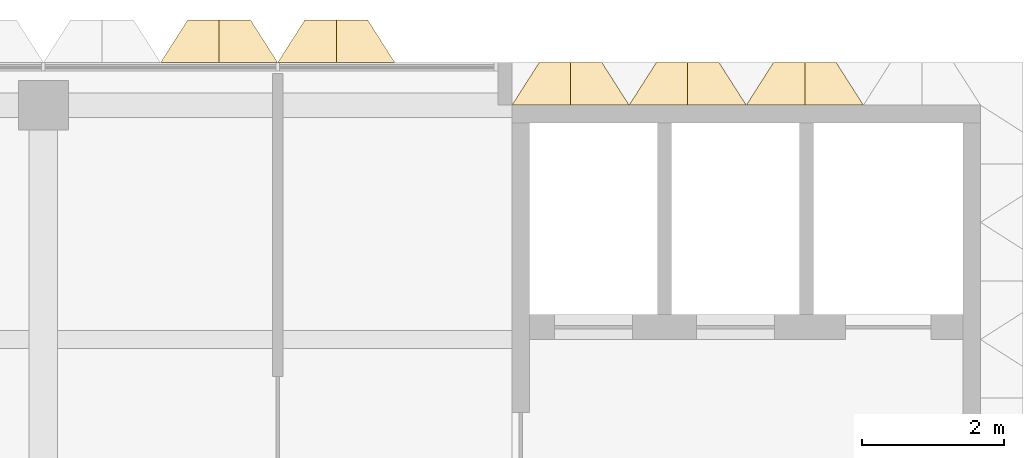
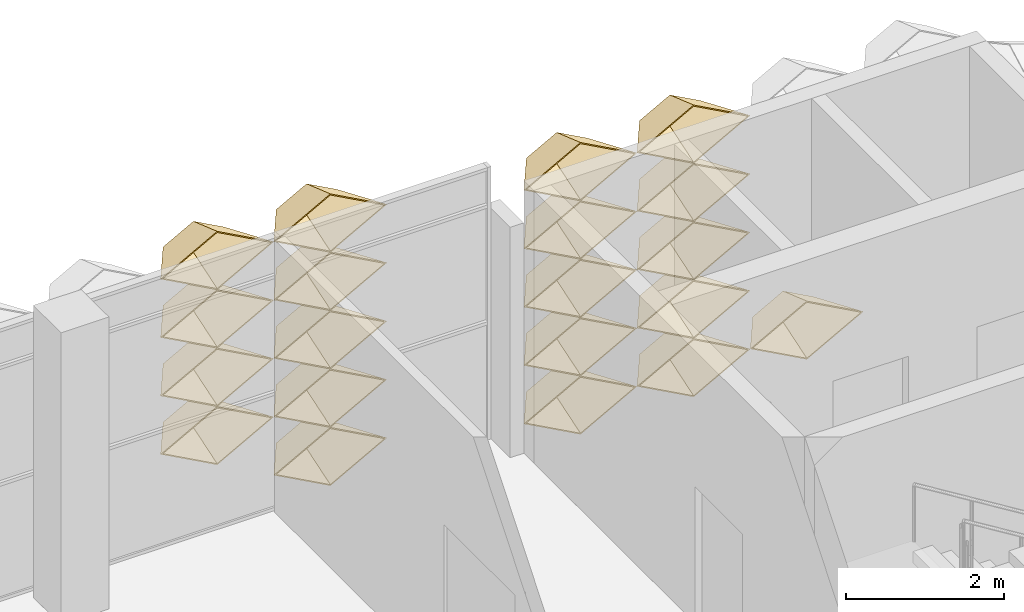
# One storey, part 26 of 28: 20 coverings.
"""IFC4 building model written with IfcOpenShell, lengths in metres."""

from ifc_helpers import new_model, entity, si_unit, direction, frame, origin, place, context, subcontext, project, spatial, material, layer, layer_set, type_object, element, save


model = new_model("IFC4")

# Units and contexts
model_context = context("Model", 3, precision=1e-05, world=origin(), true_north=direction((0.0, 1.0)))
body_context = subcontext(model_context, "Body", "Model", "MODEL_VIEW")
ifc_project = project(units=[si_unit("LENGTHUNIT", "METRE"), si_unit("AREAUNIT", "SQUARE_METRE"), si_unit("VOLUMEUNIT", "CUBIC_METRE"), si_unit("PLANEANGLEUNIT", "RADIAN"), si_unit("MASSUNIT", "GRAM", prefix="KILO")], contexts=[model_context])

# Site, building, storey
site_placement = place(None, origin())
site = spatial("IfcSite", under=ifc_project, at=site_placement, CompositionType="ELEMENT")
building_placement = place(site_placement, origin())
building = spatial("IfcBuilding", under=site, at=building_placement, Name="Lantern Court Research Institute", CompositionType="ELEMENT")
storey_placement = place(building_placement, frame((0.0, 0.0, 36.89990234375)))
storey = spatial("IfcBuildingStorey", under=building, at=storey_placement, Name="L08", CompositionType="ELEMENT", Elevation=36.89990234375)

# Coverings
ifc_material = material(Name="Anodised aluminium", Category="aluminium")
ifc_layer = layer(ifc_material, 0.01611328125)
ifc_layer_set = layer_set([ifc_layer], Name="Anodised aluminium")
covering_type = type_object("IfcCoveringType", Name="Fin cassette 1650 x 900 x 600 aluminium", PredefinedType="CLADDING", material=ifc_layer_set)
covering_1_placement = place(storey_placement, frame((73.425048828125, 23.10009765625, 0.4501953125), z_axis=(0.0, 1.0, 0.0), x_axis=(-1.0, 0.0, 0.0)))
cartesian_point_1 = entity("IfcCartesianPoint", [0.824951171875, 0.0])
cartesian_point_2 = entity("IfcCartesianPoint", [0.79150390625, 0.0])
cartesian_point_3 = entity("IfcCartesianPoint", [0.44189453125, 0.0])
cartesian_point_4 = entity("IfcCartesianPoint", [0.43359375, 0.0])
element("IfcCovering", 1, at=covering_1_placement, inside=storey, type_object=covering_type, Name="Fin cassette V5N-L08 1.45", PredefinedType="CLADDING", context=body_context, shape_type="SweptSolid", body=[
    entity("IfcExtrudedAreaSolidTapered", entity("IfcArbitraryProfileDefWithVoids", "AREA", None, entity("IfcPolyline", [cartesian_point_1, entity("IfcCartesianPoint", [0.0, 0.449951171875]), entity("IfcCartesianPoint", [-0.824951171875, 0.0]), entity("IfcCartesianPoint", [0.0, -0.449951171875]), cartesian_point_1]), [entity("IfcPolyline", [cartesian_point_2, entity("IfcCartesianPoint", [0.0, 0.431884765625]), entity("IfcCartesianPoint", [-0.79150390625, 0.0]), entity("IfcCartesianPoint", [0.0, -0.431884765625]), cartesian_point_2])]), entity("IfcAxis2Placement3D", entity("IfcCartesianPoint", [0.0, 0.0, 0.0])), entity("IfcDirection", [0.0, 0.0, 1.0]), 0.60009765625, entity("IfcArbitraryProfileDefWithVoids", "AREA", None, entity("IfcPolyline", [cartesian_point_3, entity("IfcCartesianPoint", [0.0, 0.240966796875]), entity("IfcCartesianPoint", [-0.44189453125, 0.0]), entity("IfcCartesianPoint", [0.0, -0.240966796875]), cartesian_point_3]), [entity("IfcPolyline", [cartesian_point_4, entity("IfcCartesianPoint", [0.0, 0.236572265625]), entity("IfcCartesianPoint", [-0.43359375, 0.0]), entity("IfcCartesianPoint", [0.0, -0.236572265625]), cartesian_point_4])])),
])
covering_2_placement = place(storey_placement, frame((75.074951171875, 23.10009765625, 0.4501953125), z_axis=(0.0, 1.0, 0.0), x_axis=(-1.0, 0.0, 0.0)))
cartesian_point_5 = entity("IfcCartesianPoint", [0.824951171875, 0.0])
cartesian_point_6 = entity("IfcCartesianPoint", [0.79150390625, 0.0])
cartesian_point_7 = entity("IfcCartesianPoint", [0.44189453125, 0.0])
cartesian_point_8 = entity("IfcCartesianPoint", [0.43359375, 0.0])
element("IfcCovering", 2, at=covering_2_placement, inside=storey, type_object=covering_type, Name="Fin cassette V5N-L08 1.46", PredefinedType="CLADDING", context=body_context, shape_type="SweptSolid", body=[
    entity("IfcExtrudedAreaSolidTapered", entity("IfcArbitraryProfileDefWithVoids", "AREA", None, entity("IfcPolyline", [cartesian_point_5, entity("IfcCartesianPoint", [0.0, 0.449951171875]), entity("IfcCartesianPoint", [-0.824951171875, 0.0]), entity("IfcCartesianPoint", [0.0, -0.449951171875]), cartesian_point_5]), [entity("IfcPolyline", [cartesian_point_6, entity("IfcCartesianPoint", [0.0, 0.431884765625]), entity("IfcCartesianPoint", [-0.79150390625, 0.0]), entity("IfcCartesianPoint", [0.0, -0.431884765625]), cartesian_point_6])]), entity("IfcAxis2Placement3D", entity("IfcCartesianPoint", [0.0, 0.0, 0.0])), entity("IfcDirection", [0.0, 0.0, 1.0]), 0.60009765625, entity("IfcArbitraryProfileDefWithVoids", "AREA", None, entity("IfcPolyline", [cartesian_point_7, entity("IfcCartesianPoint", [0.0, 0.240966796875]), entity("IfcCartesianPoint", [-0.44189453125, 0.0]), entity("IfcCartesianPoint", [0.0, -0.240966796875]), cartesian_point_7]), [entity("IfcPolyline", [cartesian_point_8, entity("IfcCartesianPoint", [0.0, 0.236572265625]), entity("IfcCartesianPoint", [-0.43359375, 0.0]), entity("IfcCartesianPoint", [0.0, -0.236572265625]), cartesian_point_8])])),
])
covering_3_placement = place(storey_placement, frame((76.72509765625, 23.10009765625, 0.4501953125), z_axis=(0.0, 1.0, 0.0), x_axis=(-1.0, 0.0, 0.0)))
cartesian_point_9 = entity("IfcCartesianPoint", [0.824951171875, 0.0])
cartesian_point_10 = entity("IfcCartesianPoint", [0.79150390625, 0.0])
cartesian_point_11 = entity("IfcCartesianPoint", [0.44189453125, 0.0])
cartesian_point_12 = entity("IfcCartesianPoint", [0.43359375, 0.0])
element("IfcCovering", 3, at=covering_3_placement, inside=storey, type_object=covering_type, Name="Fin cassette V5N-L08 1.47", PredefinedType="CLADDING", context=body_context, shape_type="SweptSolid", body=[
    entity("IfcExtrudedAreaSolidTapered", entity("IfcArbitraryProfileDefWithVoids", "AREA", None, entity("IfcPolyline", [cartesian_point_9, entity("IfcCartesianPoint", [0.0, 0.449951171875]), entity("IfcCartesianPoint", [-0.824951171875, 0.0]), entity("IfcCartesianPoint", [0.0, -0.449951171875]), cartesian_point_9]), [entity("IfcPolyline", [cartesian_point_10, entity("IfcCartesianPoint", [0.0, 0.431884765625]), entity("IfcCartesianPoint", [-0.79150390625, 0.0]), entity("IfcCartesianPoint", [0.0, -0.431884765625]), cartesian_point_10])]), entity("IfcAxis2Placement3D", entity("IfcCartesianPoint", [0.0, 0.0, 0.0])), entity("IfcDirection", [0.0, 0.0, 1.0]), 0.60009765625, entity("IfcArbitraryProfileDefWithVoids", "AREA", None, entity("IfcPolyline", [cartesian_point_11, entity("IfcCartesianPoint", [0.0, 0.240966796875]), entity("IfcCartesianPoint", [-0.44189453125, 0.0]), entity("IfcCartesianPoint", [0.0, -0.240966796875]), cartesian_point_11]), [entity("IfcPolyline", [cartesian_point_12, entity("IfcCartesianPoint", [0.0, 0.236572265625]), entity("IfcCartesianPoint", [-0.43359375, 0.0]), entity("IfcCartesianPoint", [0.0, -0.236572265625]), cartesian_point_12])])),
])
covering_4_placement = place(storey_placement, frame((73.425048828125, 23.10009765625, 1.35009765625), z_axis=(0.0, 1.0, 0.0), x_axis=(-1.0, 0.0, 0.0)))
cartesian_point_13 = entity("IfcCartesianPoint", [0.824951171875, 0.0])
cartesian_point_14 = entity("IfcCartesianPoint", [0.79150390625, 0.0])
cartesian_point_15 = entity("IfcCartesianPoint", [0.44189453125, 0.0])
cartesian_point_16 = entity("IfcCartesianPoint", [0.43359375, 0.0])
element("IfcCovering", 4, at=covering_4_placement, inside=storey, type_object=covering_type, Name="Fin cassette V5N-L08 2.45", PredefinedType="CLADDING", context=body_context, shape_type="SweptSolid", body=[
    entity("IfcExtrudedAreaSolidTapered", entity("IfcArbitraryProfileDefWithVoids", "AREA", None, entity("IfcPolyline", [cartesian_point_13, entity("IfcCartesianPoint", [0.0, 0.449951171875]), entity("IfcCartesianPoint", [-0.824951171875, 0.0]), entity("IfcCartesianPoint", [0.0, -0.449951171875]), cartesian_point_13]), [entity("IfcPolyline", [cartesian_point_14, entity("IfcCartesianPoint", [0.0, 0.431884765625]), entity("IfcCartesianPoint", [-0.79150390625, 0.0]), entity("IfcCartesianPoint", [0.0, -0.431884765625]), cartesian_point_14])]), entity("IfcAxis2Placement3D", entity("IfcCartesianPoint", [0.0, 0.0, 0.0])), entity("IfcDirection", [0.0, 0.0, 1.0]), 0.60009765625, entity("IfcArbitraryProfileDefWithVoids", "AREA", None, entity("IfcPolyline", [cartesian_point_15, entity("IfcCartesianPoint", [0.0, 0.240966796875]), entity("IfcCartesianPoint", [-0.44189453125, 0.0]), entity("IfcCartesianPoint", [0.0, -0.240966796875]), cartesian_point_15]), [entity("IfcPolyline", [cartesian_point_16, entity("IfcCartesianPoint", [0.0, 0.236572265625]), entity("IfcCartesianPoint", [-0.43359375, 0.0]), entity("IfcCartesianPoint", [0.0, -0.236572265625]), cartesian_point_16])])),
])
covering_5_placement = place(storey_placement, frame((75.074951171875, 23.10009765625, 1.35009765625), z_axis=(0.0, 1.0, 0.0), x_axis=(-1.0, 0.0, 0.0)))
cartesian_point_17 = entity("IfcCartesianPoint", [0.824951171875, 0.0])
cartesian_point_18 = entity("IfcCartesianPoint", [0.79150390625, 0.0])
cartesian_point_19 = entity("IfcCartesianPoint", [0.44189453125, 0.0])
cartesian_point_20 = entity("IfcCartesianPoint", [0.43359375, 0.0])
element("IfcCovering", 5, at=covering_5_placement, inside=storey, type_object=covering_type, Name="Fin cassette V5N-L08 2.46", PredefinedType="CLADDING", context=body_context, shape_type="SweptSolid", body=[
    entity("IfcExtrudedAreaSolidTapered", entity("IfcArbitraryProfileDefWithVoids", "AREA", None, entity("IfcPolyline", [cartesian_point_17, entity("IfcCartesianPoint", [0.0, 0.449951171875]), entity("IfcCartesianPoint", [-0.824951171875, 0.0]), entity("IfcCartesianPoint", [0.0, -0.449951171875]), cartesian_point_17]), [entity("IfcPolyline", [cartesian_point_18, entity("IfcCartesianPoint", [0.0, 0.431884765625]), entity("IfcCartesianPoint", [-0.79150390625, 0.0]), entity("IfcCartesianPoint", [0.0, -0.431884765625]), cartesian_point_18])]), entity("IfcAxis2Placement3D", entity("IfcCartesianPoint", [0.0, 0.0, 0.0])), entity("IfcDirection", [0.0, 0.0, 1.0]), 0.60009765625, entity("IfcArbitraryProfileDefWithVoids", "AREA", None, entity("IfcPolyline", [cartesian_point_19, entity("IfcCartesianPoint", [0.0, 0.240966796875]), entity("IfcCartesianPoint", [-0.44189453125, 0.0]), entity("IfcCartesianPoint", [0.0, -0.240966796875]), cartesian_point_19]), [entity("IfcPolyline", [cartesian_point_20, entity("IfcCartesianPoint", [0.0, 0.236572265625]), entity("IfcCartesianPoint", [-0.43359375, 0.0]), entity("IfcCartesianPoint", [0.0, -0.236572265625]), cartesian_point_20])])),
])
covering_6_placement = place(storey_placement, frame((73.425048828125, 23.10009765625, 2.25), z_axis=(0.0, 1.0, 0.0), x_axis=(-1.0, 0.0, 0.0)))
cartesian_point_21 = entity("IfcCartesianPoint", [0.824951171875, 0.0])
cartesian_point_22 = entity("IfcCartesianPoint", [0.79150390625, 0.0])
cartesian_point_23 = entity("IfcCartesianPoint", [0.44189453125, 0.0])
cartesian_point_24 = entity("IfcCartesianPoint", [0.43359375, 0.0])
element("IfcCovering", 6, at=covering_6_placement, inside=storey, type_object=covering_type, Name="Fin cassette V5N-L08 3.45", PredefinedType="CLADDING", context=body_context, shape_type="SweptSolid", body=[
    entity("IfcExtrudedAreaSolidTapered", entity("IfcArbitraryProfileDefWithVoids", "AREA", None, entity("IfcPolyline", [cartesian_point_21, entity("IfcCartesianPoint", [0.0, 0.449951171875]), entity("IfcCartesianPoint", [-0.824951171875, 0.0]), entity("IfcCartesianPoint", [0.0, -0.449951171875]), cartesian_point_21]), [entity("IfcPolyline", [cartesian_point_22, entity("IfcCartesianPoint", [0.0, 0.431884765625]), entity("IfcCartesianPoint", [-0.79150390625, 0.0]), entity("IfcCartesianPoint", [0.0, -0.431884765625]), cartesian_point_22])]), entity("IfcAxis2Placement3D", entity("IfcCartesianPoint", [0.0, 0.0, 0.0])), entity("IfcDirection", [0.0, 0.0, 1.0]), 0.60009765625, entity("IfcArbitraryProfileDefWithVoids", "AREA", None, entity("IfcPolyline", [cartesian_point_23, entity("IfcCartesianPoint", [0.0, 0.240966796875]), entity("IfcCartesianPoint", [-0.44189453125, 0.0]), entity("IfcCartesianPoint", [0.0, -0.240966796875]), cartesian_point_23]), [entity("IfcPolyline", [cartesian_point_24, entity("IfcCartesianPoint", [0.0, 0.236572265625]), entity("IfcCartesianPoint", [-0.43359375, 0.0]), entity("IfcCartesianPoint", [0.0, -0.236572265625]), cartesian_point_24])])),
])
covering_7_placement = place(storey_placement, frame((75.074951171875, 23.10009765625, 2.25), z_axis=(0.0, 1.0, 0.0), x_axis=(-1.0, 0.0, 0.0)))
cartesian_point_25 = entity("IfcCartesianPoint", [0.824951171875, 0.0])
cartesian_point_26 = entity("IfcCartesianPoint", [0.79150390625, 0.0])
cartesian_point_27 = entity("IfcCartesianPoint", [0.44189453125, 0.0])
cartesian_point_28 = entity("IfcCartesianPoint", [0.43359375, 0.0])
element("IfcCovering", 7, at=covering_7_placement, inside=storey, type_object=covering_type, Name="Fin cassette V5N-L08 3.46", PredefinedType="CLADDING", context=body_context, shape_type="SweptSolid", body=[
    entity("IfcExtrudedAreaSolidTapered", entity("IfcArbitraryProfileDefWithVoids", "AREA", None, entity("IfcPolyline", [cartesian_point_25, entity("IfcCartesianPoint", [0.0, 0.449951171875]), entity("IfcCartesianPoint", [-0.824951171875, 0.0]), entity("IfcCartesianPoint", [0.0, -0.449951171875]), cartesian_point_25]), [entity("IfcPolyline", [cartesian_point_26, entity("IfcCartesianPoint", [0.0, 0.431884765625]), entity("IfcCartesianPoint", [-0.79150390625, 0.0]), entity("IfcCartesianPoint", [0.0, -0.431884765625]), cartesian_point_26])]), entity("IfcAxis2Placement3D", entity("IfcCartesianPoint", [0.0, 0.0, 0.0])), entity("IfcDirection", [0.0, 0.0, 1.0]), 0.60009765625, entity("IfcArbitraryProfileDefWithVoids", "AREA", None, entity("IfcPolyline", [cartesian_point_27, entity("IfcCartesianPoint", [0.0, 0.240966796875]), entity("IfcCartesianPoint", [-0.44189453125, 0.0]), entity("IfcCartesianPoint", [0.0, -0.240966796875]), cartesian_point_27]), [entity("IfcPolyline", [cartesian_point_28, entity("IfcCartesianPoint", [0.0, 0.236572265625]), entity("IfcCartesianPoint", [-0.43359375, 0.0]), entity("IfcCartesianPoint", [0.0, -0.236572265625]), cartesian_point_28])])),
])
covering_8_placement = place(storey_placement, frame((73.425048828125, 23.10009765625, 3.150146484375), z_axis=(0.0, 1.0, 0.0), x_axis=(-1.0, 0.0, 0.0)))
cartesian_point_29 = entity("IfcCartesianPoint", [0.824951171875, 0.0])
cartesian_point_30 = entity("IfcCartesianPoint", [0.79150390625, 0.0])
cartesian_point_31 = entity("IfcCartesianPoint", [0.44189453125, 0.0])
cartesian_point_32 = entity("IfcCartesianPoint", [0.43359375, 0.0])
element("IfcCovering", 8, at=covering_8_placement, inside=storey, type_object=covering_type, Name="Fin cassette V5N-L08 4.45", PredefinedType="CLADDING", context=body_context, shape_type="SweptSolid", body=[
    entity("IfcExtrudedAreaSolidTapered", entity("IfcArbitraryProfileDefWithVoids", "AREA", None, entity("IfcPolyline", [cartesian_point_29, entity("IfcCartesianPoint", [0.0, 0.449951171875]), entity("IfcCartesianPoint", [-0.824951171875, 0.0]), entity("IfcCartesianPoint", [0.0, -0.449951171875]), cartesian_point_29]), [entity("IfcPolyline", [cartesian_point_30, entity("IfcCartesianPoint", [0.0, 0.431884765625]), entity("IfcCartesianPoint", [-0.79150390625, 0.0]), entity("IfcCartesianPoint", [0.0, -0.431884765625]), cartesian_point_30])]), entity("IfcAxis2Placement3D", entity("IfcCartesianPoint", [0.0, 0.0, 0.0])), entity("IfcDirection", [0.0, 0.0, 1.0]), 0.60009765625, entity("IfcArbitraryProfileDefWithVoids", "AREA", None, entity("IfcPolyline", [cartesian_point_31, entity("IfcCartesianPoint", [0.0, 0.240966796875]), entity("IfcCartesianPoint", [-0.44189453125, 0.0]), entity("IfcCartesianPoint", [0.0, -0.240966796875]), cartesian_point_31]), [entity("IfcPolyline", [cartesian_point_32, entity("IfcCartesianPoint", [0.0, 0.236572265625]), entity("IfcCartesianPoint", [-0.43359375, 0.0]), entity("IfcCartesianPoint", [0.0, -0.236572265625]), cartesian_point_32])])),
])
covering_9_placement = place(storey_placement, frame((75.074951171875, 23.10009765625, 3.150146484375), z_axis=(0.0, 1.0, 0.0), x_axis=(-1.0, 0.0, 0.0)))
cartesian_point_33 = entity("IfcCartesianPoint", [0.824951171875, 0.0])
cartesian_point_34 = entity("IfcCartesianPoint", [0.79150390625, 0.0])
cartesian_point_35 = entity("IfcCartesianPoint", [0.44189453125, 0.0])
cartesian_point_36 = entity("IfcCartesianPoint", [0.43359375, 0.0])
element("IfcCovering", 9, at=covering_9_placement, inside=storey, type_object=covering_type, Name="Fin cassette V5N-L08 4.46", PredefinedType="CLADDING", context=body_context, shape_type="SweptSolid", body=[
    entity("IfcExtrudedAreaSolidTapered", entity("IfcArbitraryProfileDefWithVoids", "AREA", None, entity("IfcPolyline", [cartesian_point_33, entity("IfcCartesianPoint", [0.0, 0.449951171875]), entity("IfcCartesianPoint", [-0.824951171875, 0.0]), entity("IfcCartesianPoint", [0.0, -0.449951171875]), cartesian_point_33]), [entity("IfcPolyline", [cartesian_point_34, entity("IfcCartesianPoint", [0.0, 0.431884765625]), entity("IfcCartesianPoint", [-0.79150390625, 0.0]), entity("IfcCartesianPoint", [0.0, -0.431884765625]), cartesian_point_34])]), entity("IfcAxis2Placement3D", entity("IfcCartesianPoint", [0.0, 0.0, 0.0])), entity("IfcDirection", [0.0, 0.0, 1.0]), 0.60009765625, entity("IfcArbitraryProfileDefWithVoids", "AREA", None, entity("IfcPolyline", [cartesian_point_35, entity("IfcCartesianPoint", [0.0, 0.240966796875]), entity("IfcCartesianPoint", [-0.44189453125, 0.0]), entity("IfcCartesianPoint", [0.0, -0.240966796875]), cartesian_point_35]), [entity("IfcPolyline", [cartesian_point_36, entity("IfcCartesianPoint", [0.0, 0.236572265625]), entity("IfcCartesianPoint", [-0.43359375, 0.0]), entity("IfcCartesianPoint", [0.0, -0.236572265625]), cartesian_point_36])])),
])
covering_10_placement = place(storey_placement, frame((73.425048828125, 23.10009765625, 4.050048828125), z_axis=(0.0, 1.0, 0.0), x_axis=(-1.0, 0.0, 0.0)))
cartesian_point_37 = entity("IfcCartesianPoint", [0.824951171875, 0.0])
cartesian_point_38 = entity("IfcCartesianPoint", [0.79150390625, 0.0])
cartesian_point_39 = entity("IfcCartesianPoint", [0.44189453125, 0.0])
cartesian_point_40 = entity("IfcCartesianPoint", [0.43359375, 0.0])
element("IfcCovering", 10, at=covering_10_placement, inside=storey, type_object=covering_type, Name="Fin cassette V5N-L08 5.45", PredefinedType="CLADDING", context=body_context, shape_type="SweptSolid", body=[
    entity("IfcExtrudedAreaSolidTapered", entity("IfcArbitraryProfileDefWithVoids", "AREA", None, entity("IfcPolyline", [cartesian_point_37, entity("IfcCartesianPoint", [0.0, 0.449951171875]), entity("IfcCartesianPoint", [-0.824951171875, 0.0]), entity("IfcCartesianPoint", [0.0, -0.449951171875]), cartesian_point_37]), [entity("IfcPolyline", [cartesian_point_38, entity("IfcCartesianPoint", [0.0, 0.431884765625]), entity("IfcCartesianPoint", [-0.79150390625, 0.0]), entity("IfcCartesianPoint", [0.0, -0.431884765625]), cartesian_point_38])]), entity("IfcAxis2Placement3D", entity("IfcCartesianPoint", [0.0, 0.0, 0.0])), entity("IfcDirection", [0.0, 0.0, 1.0]), 0.60009765625, entity("IfcArbitraryProfileDefWithVoids", "AREA", None, entity("IfcPolyline", [cartesian_point_39, entity("IfcCartesianPoint", [0.0, 0.240966796875]), entity("IfcCartesianPoint", [-0.44189453125, 0.0]), entity("IfcCartesianPoint", [0.0, -0.240966796875]), cartesian_point_39]), [entity("IfcPolyline", [cartesian_point_40, entity("IfcCartesianPoint", [0.0, 0.236572265625]), entity("IfcCartesianPoint", [-0.43359375, 0.0]), entity("IfcCartesianPoint", [0.0, -0.236572265625]), cartesian_point_40])])),
])
covering_11_placement = place(storey_placement, frame((75.074951171875, 23.10009765625, 4.050048828125), z_axis=(0.0, 1.0, 0.0), x_axis=(-1.0, 0.0, 0.0)))
cartesian_point_41 = entity("IfcCartesianPoint", [0.824951171875, 0.0])
cartesian_point_42 = entity("IfcCartesianPoint", [0.79150390625, 0.0])
cartesian_point_43 = entity("IfcCartesianPoint", [0.44189453125, 0.0])
cartesian_point_44 = entity("IfcCartesianPoint", [0.43359375, 0.0])
element("IfcCovering", 11, at=covering_11_placement, inside=storey, type_object=covering_type, Name="Fin cassette V5N-L08 5.46", PredefinedType="CLADDING", context=body_context, shape_type="SweptSolid", body=[
    entity("IfcExtrudedAreaSolidTapered", entity("IfcArbitraryProfileDefWithVoids", "AREA", None, entity("IfcPolyline", [cartesian_point_41, entity("IfcCartesianPoint", [0.0, 0.449951171875]), entity("IfcCartesianPoint", [-0.824951171875, 0.0]), entity("IfcCartesianPoint", [0.0, -0.449951171875]), cartesian_point_41]), [entity("IfcPolyline", [cartesian_point_42, entity("IfcCartesianPoint", [0.0, 0.431884765625]), entity("IfcCartesianPoint", [-0.79150390625, 0.0]), entity("IfcCartesianPoint", [0.0, -0.431884765625]), cartesian_point_42])]), entity("IfcAxis2Placement3D", entity("IfcCartesianPoint", [0.0, 0.0, 0.0])), entity("IfcDirection", [0.0, 0.0, 1.0]), 0.60009765625, entity("IfcArbitraryProfileDefWithVoids", "AREA", None, entity("IfcPolyline", [cartesian_point_43, entity("IfcCartesianPoint", [0.0, 0.240966796875]), entity("IfcCartesianPoint", [-0.44189453125, 0.0]), entity("IfcCartesianPoint", [0.0, -0.240966796875]), cartesian_point_43]), [entity("IfcPolyline", [cartesian_point_44, entity("IfcCartesianPoint", [0.0, 0.236572265625]), entity("IfcCartesianPoint", [-0.43359375, 0.0]), entity("IfcCartesianPoint", [0.0, -0.236572265625]), cartesian_point_44])])),
])
covering_12_placement = place(storey_placement, frame((70.125, 23.699951171875, 0.4501953125), z_axis=(0.0, 1.0, 0.0), x_axis=(-1.0, 0.0, 0.0)))
cartesian_point_45 = entity("IfcCartesianPoint", [0.824951171875, 0.0])
cartesian_point_46 = entity("IfcCartesianPoint", [0.79150390625, 0.0])
cartesian_point_47 = entity("IfcCartesianPoint", [0.44189453125, 0.0])
cartesian_point_48 = entity("IfcCartesianPoint", [0.43359375, 0.0])
element("IfcCovering", 12, at=covering_12_placement, inside=storey, type_object=covering_type, Name="Fin cassette V5N-L08 1.43", PredefinedType="CLADDING", context=body_context, shape_type="SweptSolid", body=[
    entity("IfcExtrudedAreaSolidTapered", entity("IfcArbitraryProfileDefWithVoids", "AREA", None, entity("IfcPolyline", [cartesian_point_45, entity("IfcCartesianPoint", [0.0, 0.449951171875]), entity("IfcCartesianPoint", [-0.824951171875, 0.0]), entity("IfcCartesianPoint", [0.0, -0.449951171875]), cartesian_point_45]), [entity("IfcPolyline", [cartesian_point_46, entity("IfcCartesianPoint", [0.0, 0.431884765625]), entity("IfcCartesianPoint", [-0.79150390625, 0.0]), entity("IfcCartesianPoint", [0.0, -0.431884765625]), cartesian_point_46])]), entity("IfcAxis2Placement3D", entity("IfcCartesianPoint", [0.0, 0.0, 0.0])), entity("IfcDirection", [0.0, 0.0, 1.0]), 0.60009765625, entity("IfcArbitraryProfileDefWithVoids", "AREA", None, entity("IfcPolyline", [cartesian_point_47, entity("IfcCartesianPoint", [0.0, 0.240966796875]), entity("IfcCartesianPoint", [-0.44189453125, 0.0]), entity("IfcCartesianPoint", [0.0, -0.240966796875]), cartesian_point_47]), [entity("IfcPolyline", [cartesian_point_48, entity("IfcCartesianPoint", [0.0, 0.236572265625]), entity("IfcCartesianPoint", [-0.43359375, 0.0]), entity("IfcCartesianPoint", [0.0, -0.236572265625]), cartesian_point_48])])),
])
covering_13_placement = place(storey_placement, frame((68.47509765625, 23.699951171875, 1.35009765625), z_axis=(0.0, 1.0, 0.0), x_axis=(-1.0, 0.0, 0.0)))
cartesian_point_49 = entity("IfcCartesianPoint", [0.824951171875, 0.0])
cartesian_point_50 = entity("IfcCartesianPoint", [0.79150390625, 0.0])
cartesian_point_51 = entity("IfcCartesianPoint", [0.44189453125, 0.0])
cartesian_point_52 = entity("IfcCartesianPoint", [0.43359375, 0.0])
element("IfcCovering", 13, at=covering_13_placement, inside=storey, type_object=covering_type, Name="Fin cassette V5N-L08 2.42", PredefinedType="CLADDING", context=body_context, shape_type="SweptSolid", body=[
    entity("IfcExtrudedAreaSolidTapered", entity("IfcArbitraryProfileDefWithVoids", "AREA", None, entity("IfcPolyline", [cartesian_point_49, entity("IfcCartesianPoint", [0.0, 0.449951171875]), entity("IfcCartesianPoint", [-0.824951171875, 0.0]), entity("IfcCartesianPoint", [0.0, -0.449951171875]), cartesian_point_49]), [entity("IfcPolyline", [cartesian_point_50, entity("IfcCartesianPoint", [0.0, 0.431884765625]), entity("IfcCartesianPoint", [-0.79150390625, 0.0]), entity("IfcCartesianPoint", [0.0, -0.431884765625]), cartesian_point_50])]), entity("IfcAxis2Placement3D", entity("IfcCartesianPoint", [0.0, 0.0, 0.0])), entity("IfcDirection", [0.0, 0.0, 1.0]), 0.60009765625, entity("IfcArbitraryProfileDefWithVoids", "AREA", None, entity("IfcPolyline", [cartesian_point_51, entity("IfcCartesianPoint", [0.0, 0.240966796875]), entity("IfcCartesianPoint", [-0.44189453125, 0.0]), entity("IfcCartesianPoint", [0.0, -0.240966796875]), cartesian_point_51]), [entity("IfcPolyline", [cartesian_point_52, entity("IfcCartesianPoint", [0.0, 0.236572265625]), entity("IfcCartesianPoint", [-0.43359375, 0.0]), entity("IfcCartesianPoint", [0.0, -0.236572265625]), cartesian_point_52])])),
])
covering_14_placement = place(storey_placement, frame((70.125, 23.699951171875, 1.35009765625), z_axis=(0.0, 1.0, 0.0), x_axis=(-1.0, 0.0, 0.0)))
cartesian_point_53 = entity("IfcCartesianPoint", [0.824951171875, 0.0])
cartesian_point_54 = entity("IfcCartesianPoint", [0.79150390625, 0.0])
cartesian_point_55 = entity("IfcCartesianPoint", [0.44189453125, 0.0])
cartesian_point_56 = entity("IfcCartesianPoint", [0.43359375, 0.0])
element("IfcCovering", 14, at=covering_14_placement, inside=storey, type_object=covering_type, Name="Fin cassette V5N-L08 2.43", PredefinedType="CLADDING", context=body_context, shape_type="SweptSolid", body=[
    entity("IfcExtrudedAreaSolidTapered", entity("IfcArbitraryProfileDefWithVoids", "AREA", None, entity("IfcPolyline", [cartesian_point_53, entity("IfcCartesianPoint", [0.0, 0.449951171875]), entity("IfcCartesianPoint", [-0.824951171875, 0.0]), entity("IfcCartesianPoint", [0.0, -0.449951171875]), cartesian_point_53]), [entity("IfcPolyline", [cartesian_point_54, entity("IfcCartesianPoint", [0.0, 0.431884765625]), entity("IfcCartesianPoint", [-0.79150390625, 0.0]), entity("IfcCartesianPoint", [0.0, -0.431884765625]), cartesian_point_54])]), entity("IfcAxis2Placement3D", entity("IfcCartesianPoint", [0.0, 0.0, 0.0])), entity("IfcDirection", [0.0, 0.0, 1.0]), 0.60009765625, entity("IfcArbitraryProfileDefWithVoids", "AREA", None, entity("IfcPolyline", [cartesian_point_55, entity("IfcCartesianPoint", [0.0, 0.240966796875]), entity("IfcCartesianPoint", [-0.44189453125, 0.0]), entity("IfcCartesianPoint", [0.0, -0.240966796875]), cartesian_point_55]), [entity("IfcPolyline", [cartesian_point_56, entity("IfcCartesianPoint", [0.0, 0.236572265625]), entity("IfcCartesianPoint", [-0.43359375, 0.0]), entity("IfcCartesianPoint", [0.0, -0.236572265625]), cartesian_point_56])])),
])
covering_15_placement = place(storey_placement, frame((68.47509765625, 23.699951171875, 2.25), z_axis=(0.0, 1.0, 0.0), x_axis=(-1.0, 0.0, 0.0)))
cartesian_point_57 = entity("IfcCartesianPoint", [0.824951171875, 0.0])
cartesian_point_58 = entity("IfcCartesianPoint", [0.79150390625, 0.0])
cartesian_point_59 = entity("IfcCartesianPoint", [0.44189453125, 0.0])
cartesian_point_60 = entity("IfcCartesianPoint", [0.43359375, 0.0])
element("IfcCovering", 15, at=covering_15_placement, inside=storey, type_object=covering_type, Name="Fin cassette V5N-L08 3.42", PredefinedType="CLADDING", context=body_context, shape_type="SweptSolid", body=[
    entity("IfcExtrudedAreaSolidTapered", entity("IfcArbitraryProfileDefWithVoids", "AREA", None, entity("IfcPolyline", [cartesian_point_57, entity("IfcCartesianPoint", [0.0, 0.449951171875]), entity("IfcCartesianPoint", [-0.824951171875, 0.0]), entity("IfcCartesianPoint", [0.0, -0.449951171875]), cartesian_point_57]), [entity("IfcPolyline", [cartesian_point_58, entity("IfcCartesianPoint", [0.0, 0.431884765625]), entity("IfcCartesianPoint", [-0.79150390625, 0.0]), entity("IfcCartesianPoint", [0.0, -0.431884765625]), cartesian_point_58])]), entity("IfcAxis2Placement3D", entity("IfcCartesianPoint", [0.0, 0.0, 0.0])), entity("IfcDirection", [0.0, 0.0, 1.0]), 0.60009765625, entity("IfcArbitraryProfileDefWithVoids", "AREA", None, entity("IfcPolyline", [cartesian_point_59, entity("IfcCartesianPoint", [0.0, 0.240966796875]), entity("IfcCartesianPoint", [-0.44189453125, 0.0]), entity("IfcCartesianPoint", [0.0, -0.240966796875]), cartesian_point_59]), [entity("IfcPolyline", [cartesian_point_60, entity("IfcCartesianPoint", [0.0, 0.236572265625]), entity("IfcCartesianPoint", [-0.43359375, 0.0]), entity("IfcCartesianPoint", [0.0, -0.236572265625]), cartesian_point_60])])),
])
covering_16_placement = place(storey_placement, frame((70.125, 23.699951171875, 2.25), z_axis=(0.0, 1.0, 0.0), x_axis=(-1.0, 0.0, 0.0)))
cartesian_point_61 = entity("IfcCartesianPoint", [0.824951171875, 0.0])
cartesian_point_62 = entity("IfcCartesianPoint", [0.79150390625, 0.0])
cartesian_point_63 = entity("IfcCartesianPoint", [0.44189453125, 0.0])
cartesian_point_64 = entity("IfcCartesianPoint", [0.43359375, 0.0])
element("IfcCovering", 16, at=covering_16_placement, inside=storey, type_object=covering_type, Name="Fin cassette V5N-L08 3.43", PredefinedType="CLADDING", context=body_context, shape_type="SweptSolid", body=[
    entity("IfcExtrudedAreaSolidTapered", entity("IfcArbitraryProfileDefWithVoids", "AREA", None, entity("IfcPolyline", [cartesian_point_61, entity("IfcCartesianPoint", [0.0, 0.449951171875]), entity("IfcCartesianPoint", [-0.824951171875, 0.0]), entity("IfcCartesianPoint", [0.0, -0.449951171875]), cartesian_point_61]), [entity("IfcPolyline", [cartesian_point_62, entity("IfcCartesianPoint", [0.0, 0.431884765625]), entity("IfcCartesianPoint", [-0.79150390625, 0.0]), entity("IfcCartesianPoint", [0.0, -0.431884765625]), cartesian_point_62])]), entity("IfcAxis2Placement3D", entity("IfcCartesianPoint", [0.0, 0.0, 0.0])), entity("IfcDirection", [0.0, 0.0, 1.0]), 0.60009765625, entity("IfcArbitraryProfileDefWithVoids", "AREA", None, entity("IfcPolyline", [cartesian_point_63, entity("IfcCartesianPoint", [0.0, 0.240966796875]), entity("IfcCartesianPoint", [-0.44189453125, 0.0]), entity("IfcCartesianPoint", [0.0, -0.240966796875]), cartesian_point_63]), [entity("IfcPolyline", [cartesian_point_64, entity("IfcCartesianPoint", [0.0, 0.236572265625]), entity("IfcCartesianPoint", [-0.43359375, 0.0]), entity("IfcCartesianPoint", [0.0, -0.236572265625]), cartesian_point_64])])),
])
covering_17_placement = place(storey_placement, frame((68.47509765625, 23.699951171875, 3.150146484375), z_axis=(0.0, 1.0, 0.0), x_axis=(-1.0, 0.0, 0.0)))
cartesian_point_65 = entity("IfcCartesianPoint", [0.824951171875, 0.0])
cartesian_point_66 = entity("IfcCartesianPoint", [0.79150390625, 0.0])
cartesian_point_67 = entity("IfcCartesianPoint", [0.44189453125, 0.0])
cartesian_point_68 = entity("IfcCartesianPoint", [0.43359375, 0.0])
element("IfcCovering", 17, at=covering_17_placement, inside=storey, type_object=covering_type, Name="Fin cassette V5N-L08 4.42", PredefinedType="CLADDING", context=body_context, shape_type="SweptSolid", body=[
    entity("IfcExtrudedAreaSolidTapered", entity("IfcArbitraryProfileDefWithVoids", "AREA", None, entity("IfcPolyline", [cartesian_point_65, entity("IfcCartesianPoint", [0.0, 0.449951171875]), entity("IfcCartesianPoint", [-0.824951171875, 0.0]), entity("IfcCartesianPoint", [0.0, -0.449951171875]), cartesian_point_65]), [entity("IfcPolyline", [cartesian_point_66, entity("IfcCartesianPoint", [0.0, 0.431884765625]), entity("IfcCartesianPoint", [-0.79150390625, 0.0]), entity("IfcCartesianPoint", [0.0, -0.431884765625]), cartesian_point_66])]), entity("IfcAxis2Placement3D", entity("IfcCartesianPoint", [0.0, 0.0, 0.0])), entity("IfcDirection", [0.0, 0.0, 1.0]), 0.60009765625, entity("IfcArbitraryProfileDefWithVoids", "AREA", None, entity("IfcPolyline", [cartesian_point_67, entity("IfcCartesianPoint", [0.0, 0.240966796875]), entity("IfcCartesianPoint", [-0.44189453125, 0.0]), entity("IfcCartesianPoint", [0.0, -0.240966796875]), cartesian_point_67]), [entity("IfcPolyline", [cartesian_point_68, entity("IfcCartesianPoint", [0.0, 0.236572265625]), entity("IfcCartesianPoint", [-0.43359375, 0.0]), entity("IfcCartesianPoint", [0.0, -0.236572265625]), cartesian_point_68])])),
])
covering_18_placement = place(storey_placement, frame((70.125, 23.699951171875, 3.150146484375), z_axis=(0.0, 1.0, 0.0), x_axis=(-1.0, 0.0, 0.0)))
cartesian_point_69 = entity("IfcCartesianPoint", [0.824951171875, 0.0])
cartesian_point_70 = entity("IfcCartesianPoint", [0.79150390625, 0.0])
cartesian_point_71 = entity("IfcCartesianPoint", [0.44189453125, 0.0])
cartesian_point_72 = entity("IfcCartesianPoint", [0.43359375, 0.0])
element("IfcCovering", 18, at=covering_18_placement, inside=storey, type_object=covering_type, Name="Fin cassette V5N-L08 4.43", PredefinedType="CLADDING", context=body_context, shape_type="SweptSolid", body=[
    entity("IfcExtrudedAreaSolidTapered", entity("IfcArbitraryProfileDefWithVoids", "AREA", None, entity("IfcPolyline", [cartesian_point_69, entity("IfcCartesianPoint", [0.0, 0.449951171875]), entity("IfcCartesianPoint", [-0.824951171875, 0.0]), entity("IfcCartesianPoint", [0.0, -0.449951171875]), cartesian_point_69]), [entity("IfcPolyline", [cartesian_point_70, entity("IfcCartesianPoint", [0.0, 0.431884765625]), entity("IfcCartesianPoint", [-0.79150390625, 0.0]), entity("IfcCartesianPoint", [0.0, -0.431884765625]), cartesian_point_70])]), entity("IfcAxis2Placement3D", entity("IfcCartesianPoint", [0.0, 0.0, 0.0])), entity("IfcDirection", [0.0, 0.0, 1.0]), 0.60009765625, entity("IfcArbitraryProfileDefWithVoids", "AREA", None, entity("IfcPolyline", [cartesian_point_71, entity("IfcCartesianPoint", [0.0, 0.240966796875]), entity("IfcCartesianPoint", [-0.44189453125, 0.0]), entity("IfcCartesianPoint", [0.0, -0.240966796875]), cartesian_point_71]), [entity("IfcPolyline", [cartesian_point_72, entity("IfcCartesianPoint", [0.0, 0.236572265625]), entity("IfcCartesianPoint", [-0.43359375, 0.0]), entity("IfcCartesianPoint", [0.0, -0.236572265625]), cartesian_point_72])])),
])
covering_19_placement = place(storey_placement, frame((68.47509765625, 23.699951171875, 4.050048828125), z_axis=(0.0, 1.0, 0.0), x_axis=(-1.0, 0.0, 0.0)))
cartesian_point_73 = entity("IfcCartesianPoint", [0.824951171875, 0.0])
cartesian_point_74 = entity("IfcCartesianPoint", [0.79150390625, 0.0])
cartesian_point_75 = entity("IfcCartesianPoint", [0.44189453125, 0.0])
cartesian_point_76 = entity("IfcCartesianPoint", [0.43359375, 0.0])
element("IfcCovering", 19, at=covering_19_placement, inside=storey, type_object=covering_type, Name="Fin cassette V5N-L08 5.42", PredefinedType="CLADDING", context=body_context, shape_type="SweptSolid", body=[
    entity("IfcExtrudedAreaSolidTapered", entity("IfcArbitraryProfileDefWithVoids", "AREA", None, entity("IfcPolyline", [cartesian_point_73, entity("IfcCartesianPoint", [0.0, 0.449951171875]), entity("IfcCartesianPoint", [-0.824951171875, 0.0]), entity("IfcCartesianPoint", [0.0, -0.449951171875]), cartesian_point_73]), [entity("IfcPolyline", [cartesian_point_74, entity("IfcCartesianPoint", [0.0, 0.431884765625]), entity("IfcCartesianPoint", [-0.79150390625, 0.0]), entity("IfcCartesianPoint", [0.0, -0.431884765625]), cartesian_point_74])]), entity("IfcAxis2Placement3D", entity("IfcCartesianPoint", [0.0, 0.0, 0.0])), entity("IfcDirection", [0.0, 0.0, 1.0]), 0.60009765625, entity("IfcArbitraryProfileDefWithVoids", "AREA", None, entity("IfcPolyline", [cartesian_point_75, entity("IfcCartesianPoint", [0.0, 0.240966796875]), entity("IfcCartesianPoint", [-0.44189453125, 0.0]), entity("IfcCartesianPoint", [0.0, -0.240966796875]), cartesian_point_75]), [entity("IfcPolyline", [cartesian_point_76, entity("IfcCartesianPoint", [0.0, 0.236572265625]), entity("IfcCartesianPoint", [-0.43359375, 0.0]), entity("IfcCartesianPoint", [0.0, -0.236572265625]), cartesian_point_76])])),
])
covering_20_placement = place(storey_placement, frame((70.125, 23.699951171875, 4.050048828125), z_axis=(0.0, 1.0, 0.0), x_axis=(-1.0, 0.0, 0.0)))
cartesian_point_77 = entity("IfcCartesianPoint", [0.824951171875, 0.0])
cartesian_point_78 = entity("IfcCartesianPoint", [0.79150390625, 0.0])
cartesian_point_79 = entity("IfcCartesianPoint", [0.44189453125, 0.0])
cartesian_point_80 = entity("IfcCartesianPoint", [0.43359375, 0.0])
element("IfcCovering", 20, at=covering_20_placement, inside=storey, type_object=covering_type, Name="Fin cassette V5N-L08 5.43", PredefinedType="CLADDING", context=body_context, shape_type="SweptSolid", body=[
    entity("IfcExtrudedAreaSolidTapered", entity("IfcArbitraryProfileDefWithVoids", "AREA", None, entity("IfcPolyline", [cartesian_point_77, entity("IfcCartesianPoint", [0.0, 0.449951171875]), entity("IfcCartesianPoint", [-0.824951171875, 0.0]), entity("IfcCartesianPoint", [0.0, -0.449951171875]), cartesian_point_77]), [entity("IfcPolyline", [cartesian_point_78, entity("IfcCartesianPoint", [0.0, 0.431884765625]), entity("IfcCartesianPoint", [-0.79150390625, 0.0]), entity("IfcCartesianPoint", [0.0, -0.431884765625]), cartesian_point_78])]), entity("IfcAxis2Placement3D", entity("IfcCartesianPoint", [0.0, 0.0, 0.0])), entity("IfcDirection", [0.0, 0.0, 1.0]), 0.60009765625, entity("IfcArbitraryProfileDefWithVoids", "AREA", None, entity("IfcPolyline", [cartesian_point_79, entity("IfcCartesianPoint", [0.0, 0.240966796875]), entity("IfcCartesianPoint", [-0.44189453125, 0.0]), entity("IfcCartesianPoint", [0.0, -0.240966796875]), cartesian_point_79]), [entity("IfcPolyline", [cartesian_point_80, entity("IfcCartesianPoint", [0.0, 0.236572265625]), entity("IfcCartesianPoint", [-0.43359375, 0.0]), entity("IfcCartesianPoint", [0.0, -0.236572265625]), cartesian_point_80])])),
])

save(model, "model.ifc")
